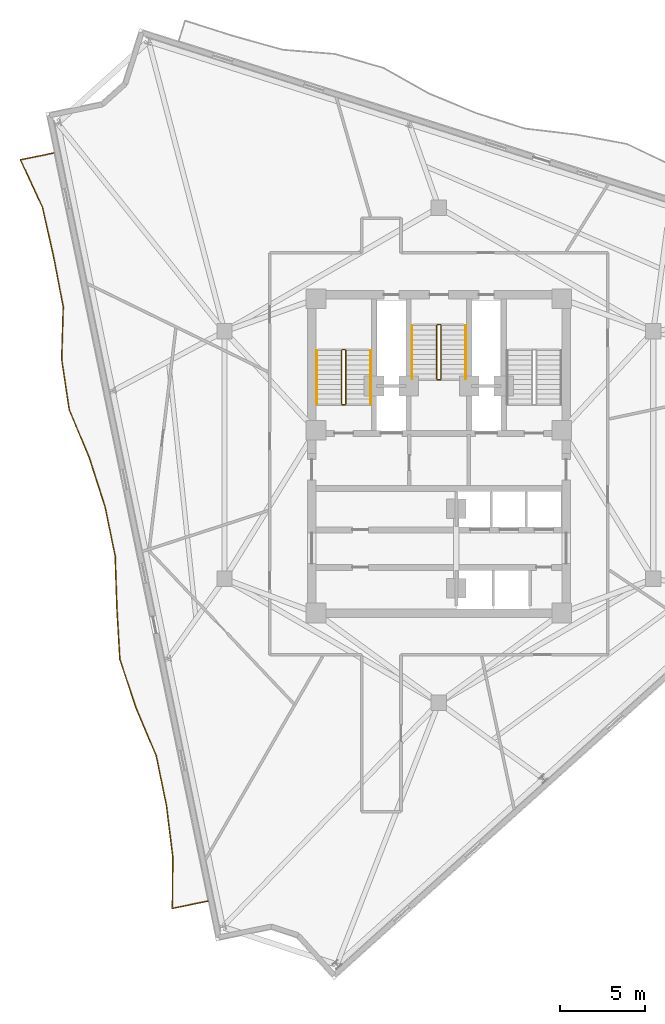
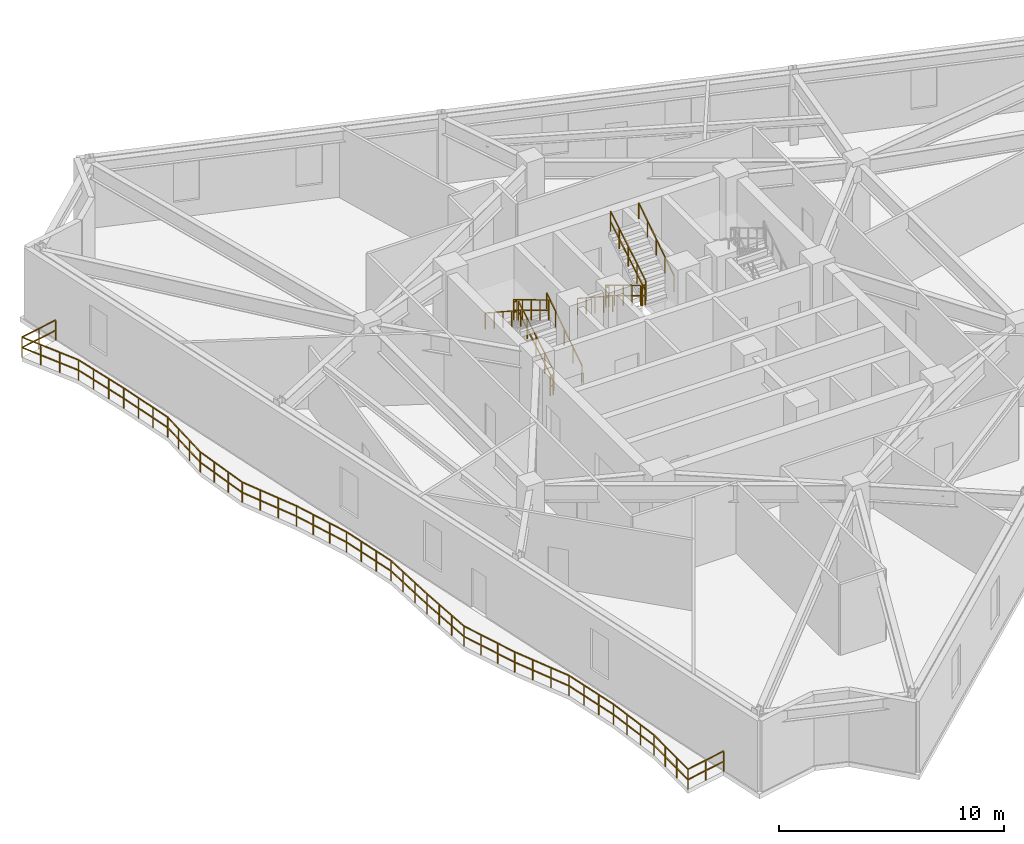
# One storey, part 9 of 11: 13 railings.
"""IFC4 building model written with IfcOpenShell, lengths in metres."""

import ifcopenshell
import ifcopenshell.guid

model = None  # the IFC model being written
_history = None  # IfcOwnerHistory: only IFC2X3 demands one
_inside = {}  # id of a spatial element -> (the spatial element, [elements in it])
_under = {}  # id of a project, library or spatial element -> (it, [spatial elements below it])
_declared = {}  # id of a project -> (the project, [libraries it declares])
_typed = {}  # id of a type object -> (the type object, [elements of that type])
_made_of = {}  # id of a material, layer set ... -> (it, [elements and type objects made of it])


def new_model(schema):
    """Start an empty IFC model of exactly this schema.

    Asked for "IFC4X3", IfcOpenShell would pick the latest addendum, in which some entities
    have other attributes; the version numbers below select the first issue.
    IFC2X3 requires an IfcOwnerHistory on every rooted entity: one is made here for all.
    """
    global model, _history
    if schema == "IFC4X3":
        model = ifcopenshell.file(schema_version=(4, 3, 0, 0))
    else:
        model = ifcopenshell.file(schema=schema)
    _inside.clear()
    _under.clear()
    _declared.clear()
    _typed.clear()
    _made_of.clear()
    _history = None
    if model.schema == "IFC2X3":
        org = make("IfcOrganization", Name="unknown")
        user = make(
            "IfcPersonAndOrganization",
            ThePerson=make("IfcPerson", FamilyName="unknown"),
            TheOrganization=org,
        )
        app = make(
            "IfcApplication",
            ApplicationDeveloper=org,
            Version="unknown",
            ApplicationFullName="unknown",
            ApplicationIdentifier="unknown",
        )
        _history = make(
            "IfcOwnerHistory",
            OwningUser=user,
            OwningApplication=app,
            ChangeAction="ADDED",
            CreationDate=0,
        )
    return model


def make(cls, **values):
    """One entity of the class cls with the attributes given. An attribute that is None is left unset."""
    return model.create_entity(
        cls, **{name: value for name, value in values.items() if value is not None}
    )


def rooted(cls, **values):
    """An entity with a GlobalId (a new one), such as an element, a storey or a relation."""
    return make(cls, GlobalId=ifcopenshell.guid.new(), OwnerHistory=_history, **values)


def si_unit(unit_type, name, prefix=None):
    """IfcSIUnit, for example si_unit("LENGTHUNIT", "METRE", prefix="MILLI")."""
    return make("IfcSIUnit", UnitType=unit_type, Prefix=prefix, Name=name)


def assignment(units):
    """IfcUnitAssignment: the units of a project."""
    return None if units is None else make("IfcUnitAssignment", Units=units)


def point(xyz):
    """IfcCartesianPoint."""
    return None if xyz is None else make("IfcCartesianPoint", Coordinates=xyz)


def direction(xyz):
    """IfcDirection."""
    return None if xyz is None else make("IfcDirection", DirectionRatios=xyz)


def frame(location, z_axis=None, x_axis=None):
    """IfcAxis2Placement3D, a coordinate frame: its origin and axes. An axis left out is left unset."""
    return make(
        "IfcAxis2Placement3D",
        Location=point(location),
        Axis=direction(z_axis),
        RefDirection=direction(x_axis),
    )


def frame_2d(location, x_axis=None):
    """IfcAxis2Placement2D, a coordinate frame in the plane: its origin and x axis."""
    return make(
        "IfcAxis2Placement2D", Location=point(location), RefDirection=direction(x_axis)
    )


def origin():
    """The frame at (0, 0, 0) with its axes left unset."""
    return frame((0.0, 0.0, 0.0))


def origin_2d():
    """The frame at (0, 0) in the plane with its x axis left unset."""
    return frame_2d((0.0, 0.0))


def place(relative_to, where):
    """IfcLocalPlacement: puts the frame where relative to a parent placement (None: the world)."""
    return make(
        "IfcLocalPlacement", PlacementRelTo=relative_to, RelativePlacement=where
    )


def context(
    kind, dimensions, precision=None, world=None, true_north=None, identifier=None
):
    """IfcGeometricRepresentationContext, for example the 3D "Model" context."""
    return make(
        "IfcGeometricRepresentationContext",
        ContextIdentifier=identifier,
        ContextType=kind,
        CoordinateSpaceDimension=dimensions,
        Precision=precision,
        WorldCoordinateSystem=world,
        TrueNorth=true_north,
    )


def subcontext(parent, identifier, kind, view, scale=None):
    """IfcGeometricRepresentationSubContext, for example "Body" below "Model"."""
    return make(
        "IfcGeometricRepresentationSubContext",
        ContextIdentifier=identifier,
        ContextType=kind,
        ParentContext=parent,
        TargetScale=scale,
        TargetView=view,
    )


def project(units=None, contexts=None):
    """IfcProject with its units and contexts."""
    return rooted(
        "IfcProject",
        Name="project",
        RepresentationContexts=contexts,
        UnitsInContext=assignment(units),
    )


def spatial(cls, under=None, at=None, **own):
    """A site, building, storey or space (cls), placed at a placement, below another one or the project."""
    s = rooted(cls, ObjectPlacement=at, **own)
    if under is not None:
        _under.setdefault(under.id(), (under, []))[1].append(s)
    return s


def profile(cls, at=None, kind="AREA", **sizes):
    """A parametric profile (cls). Its sizes go by their IFC names, for example OverallWidth=200.0."""
    return make(cls, ProfileType=kind, Position=at, **sizes)


def rectangle(**sizes):
    """IfcRectangleProfileDef."""
    return profile("IfcRectangleProfileDef", **sizes)


def extrude(swept, where, along, depth):
    """IfcExtrudedAreaSolid: the profile swept, set in the frame where, extruded along a direction by depth."""
    return make(
        "IfcExtrudedAreaSolid",
        SweptArea=swept,
        Position=where,
        ExtrudedDirection=direction(along),
        Depth=depth,
    )


def shape(context_of_items, identifier, shape_type, items):
    """IfcShapeRepresentation: the items that make up one representation, for example the "Body"."""
    return make(
        "IfcShapeRepresentation",
        ContextOfItems=context_of_items,
        RepresentationIdentifier=identifier,
        RepresentationType=shape_type,
        Items=items,
    )


def material(Name=None, Category=None):
    """IfcMaterial."""
    return make("IfcMaterial", Name=Name, Category=Category)


def made_of(thing, what):
    """Note that an element or type object is made of a material, layer set ...; save() writes the relation."""
    if what is not None:
        _made_of.setdefault(what.id(), (what, []))[1].append(thing)
    return thing


def type_object(cls, material=None, **own):
    """A type object (cls), such as IfcWallType, which elements share."""
    return made_of(rooted(cls, **own), material)


def element(
    cls,
    number,
    at=None,
    inside=None,
    cuts=None,
    type_object=None,
    material=None,
    context=None,
    identifier="Body",
    shape_type=None,
    held_by="IfcProductDefinitionShape",
    body=None,
    shapes=None,
    **own,
):
    """One element of the class cls, such as IfcWall. Its Tag is "e" and its number.

    at: its placement. inside: the storey or other place that contains it. cuts: it is an
    opening in that element (IfcRelVoidsElement). A single representation is given by context,
    identifier, shape_type and body (its items); several are given by shapes. held_by: the class
    of the entity that holds the representations. save() writes the other relations.
    """
    e = rooted(cls, Tag="e%d" % number, ObjectPlacement=at, **own)
    if body is not None:
        shapes = [shape(context, identifier, shape_type, body)]
    if shapes is not None:
        e.Representation = make(held_by, Representations=shapes)
    if inside is not None:
        _inside.setdefault(inside.id(), (inside, []))[1].append(e)
    if cuts is not None:
        rooted(
            "IfcRelVoidsElement", RelatingBuildingElement=cuts, RelatedOpeningElement=e
        )
    if type_object is not None:
        _typed.setdefault(type_object.id(), (type_object, []))[1].append(e)
    return made_of(e, material)


def aggregate(whole, parts):
    """IfcRelAggregates: a whole, such as a stair, and the parts it consists of."""
    return rooted("IfcRelAggregates", RelatingObject=whole, RelatedObjects=parts)


def save(model, path):
    """Write the relations noted so far, then the file.

    IfcRelAggregates (storeys below a building ...), IfcRelContainedInSpatialStructure (elements
    in a storey), IfcRelDefinesByType, IfcRelAssociatesMaterial and IfcRelDeclares: one each for
    every whole, place, type object, material and project.
    """
    for whole, parts in _under.values():
        aggregate(whole, parts)
    for where, things in _inside.values():
        rooted(
            "IfcRelContainedInSpatialStructure",
            RelatedElements=things,
            RelatingStructure=where,
        )
    for kind, things in _typed.values():
        rooted("IfcRelDefinesByType", RelatedObjects=things, RelatingType=kind)
    for what, things in _made_of.values():
        rooted("IfcRelAssociatesMaterial", RelatedObjects=things, RelatingMaterial=what)
    for by, libraries in _declared.values():
        rooted("IfcRelDeclares", RelatingContext=by, RelatedDefinitions=libraries)
    model.write(path)


model = new_model("IFC4")

# Units and contexts
model_context = context("Model", 3, precision=1e-05, world=origin(), true_north=direction((0.0, 1.0)))
body_context = subcontext(model_context, "Body", "Model", "MODEL_VIEW")
ifc_project = project(units=[si_unit("LENGTHUNIT", "METRE"), si_unit("AREAUNIT", "SQUARE_METRE"), si_unit("VOLUMEUNIT", "CUBIC_METRE"), si_unit("PLANEANGLEUNIT", "RADIAN"), si_unit("MASSUNIT", "GRAM", prefix="KILO")], contexts=[model_context])

# Site, building, storey
site_placement = place(None, origin())
site = spatial("IfcSite", under=ifc_project, at=site_placement, CompositionType="ELEMENT")
building_placement = place(site_placement, origin())
building = spatial("IfcBuilding", under=site, at=building_placement, Name="Apsidion Concourse Tower", CompositionType="ELEMENT")
storey_placement = place(building_placement, frame((0.0, 0.0, 252.699951171875)))
storey = spatial("IfcBuildingStorey", under=building, at=storey_placement, Name="L59", CompositionType="ELEMENT", Elevation=252.699951171875)

# Railings
ifc_material = material(Name="Brushed stainless steel 316", Category="steel")
railing_type_1 = type_object("IfcRailingType", Name="RL-BAL-1120", PredefinedType="BALUSTRADE", material=ifc_material)
railing_1_placement = place(storey_placement, frame((-13.5322265625, -26.12451171875, 0.0)))
element("IfcRailing", 1, at=railing_1_placement, inside=storey, type_object=railing_type_1, Name="L59 Face 1 Rippling Balcony Balustrade", PredefinedType="BALUSTRADE", context=body_context, shape_type="SweptSolid", body=[
    extrude(rectangle(XDim=0.048095703125, YDim=0.048095703125, at=origin_2d()), frame((0.0, 0.0, 1.09619140625), z_axis=(-0.979491101071, -0.201487426215, 0.0), x_axis=(0.201487426215, -0.979491101071, 0.0)), (0.0, 0.0, 1.0), 2.122802734375),
    extrude(rectangle(XDim=0.048095703125, YDim=0.048095703125, at=origin_2d()), frame((0.0, 0.0, 0.5361328125), z_axis=(-0.979491101071, -0.201487426215, 0.0), x_axis=(0.201487426215, -0.979491101071, 0.0)), (0.0, 0.0, 1.0), 2.122802734375),
    extrude(rectangle(XDim=0.048095703125, YDim=0.048095703125, at=origin_2d()), frame((-2.079345703125, -0.427734375, 1.09619140625), z_axis=(0.006404479969, 0.999979491108, 0.0), x_axis=(-0.999979491108, 0.006404479969, 0.0)), (0.0, 0.0, 1.0), 3.049560546875),
    extrude(rectangle(XDim=0.048095703125, YDim=0.048095703125, at=origin_2d()), frame((-2.079345703125, -0.427734375, 0.5361328125), z_axis=(0.006404479969, 0.999979491108, 0.0), x_axis=(-0.999979491108, 0.006404479969, 0.0)), (0.0, 0.0, 1.0), 3.049560546875),
    extrude(rectangle(XDim=0.048095703125, YDim=0.048095703125, at=origin_2d()), frame((-2.059814453125, 2.621826171875, 1.09619140625), z_axis=(-0.122458117281, 0.992473682025, 0.0), x_axis=(-0.992473682025, -0.122458117281, 0.0)), (0.0, 0.0, 1.0), 2.992431640625),
    extrude(rectangle(XDim=0.048095703125, YDim=0.048095703125, at=origin_2d()), frame((-2.059814453125, 2.621826171875, 0.5361328125), z_axis=(-0.122458117281, 0.992473682025, 0.0), x_axis=(-0.992473682025, -0.122458117281, 0.0)), (0.0, 0.0, 1.0), 2.992431640625),
    extrude(rectangle(XDim=0.048095703125, YDim=0.048095703125, at=origin_2d()), frame((-2.42626953125, 5.591796875, 1.09619140625), z_axis=(-0.201417367965, 0.979505509878, 0.0), x_axis=(-0.979505509878, -0.201417367965, 0.0)), (0.0, 0.0, 1.0), 2.98291015625),
    extrude(rectangle(XDim=0.048095703125, YDim=0.048095703125, at=origin_2d()), frame((-2.42626953125, 5.591796875, 0.5361328125), z_axis=(-0.201417367965, 0.979505509878, 0.0), x_axis=(-0.979505509878, -0.201417367965, 0.0)), (0.0, 0.0, 1.0), 2.98291015625),
    extrude(rectangle(XDim=0.048095703125, YDim=0.048095703125, at=origin_2d()), frame((-3.027099609375, 8.513671875, 1.09619140625), z_axis=(-0.388214902044, 0.921568874166, 0.0), x_axis=(-0.921568874166, -0.388214902044, 0.0)), (0.0, 0.0, 1.0), 3.041259765625),
    extrude(rectangle(XDim=0.048095703125, YDim=0.048095703125, at=origin_2d()), frame((-3.027099609375, 8.513671875, 0.5361328125), z_axis=(-0.388214902044, 0.921568874166, 0.0), x_axis=(-0.921568874166, -0.388214902044, 0.0)), (0.0, 0.0, 1.0), 3.041259765625),
    extrude(rectangle(XDim=0.048095703125, YDim=0.048095703125, at=origin_2d()), frame((-4.207763671875, 11.31640625, 1.09619140625), z_axis=(-0.316276523542, 0.94866704415, 0.0), x_axis=(-0.94866704415, -0.316276523542, 0.0)), (0.0, 0.0, 1.0), 3.00439453125),
    extrude(rectangle(XDim=0.048095703125, YDim=0.048095703125, at=origin_2d()), frame((-4.207763671875, 11.31640625, 0.5361328125), z_axis=(-0.316276523542, 0.94866704415, 0.0), x_axis=(-0.94866704415, -0.316276523542, 0.0)), (0.0, 0.0, 1.0), 3.00439453125),
    extrude(rectangle(XDim=0.048095703125, YDim=0.048095703125, at=origin_2d()), frame((-5.157958984375, 14.16650390625, 1.09619140625), z_axis=(-0.057577909023, 0.998341016082, 0.0), x_axis=(-0.998341016082, -0.057577909023, 0.0)), (0.0, 0.0, 1.0), 3.0146484375),
    extrude(rectangle(XDim=0.048095703125, YDim=0.048095703125, at=origin_2d()), frame((-5.157958984375, 14.16650390625, 0.5361328125), z_axis=(-0.057577909023, 0.998341016082, 0.0), x_axis=(-0.998341016082, -0.057577909023, 0.0)), (0.0, 0.0, 1.0), 3.0146484375),
    extrude(rectangle(XDim=0.048095703125, YDim=0.048095703125, at=origin_2d()), frame((-5.33154296875, 17.17626953125, 1.09619140625), z_axis=(-0.032670202221, 0.999466186465, 0.0), x_axis=(-0.999466186465, -0.032670202221, 0.0)), (0.0, 0.0, 1.0), 3.026611328125),
    extrude(rectangle(XDim=0.048095703125, YDim=0.048095703125, at=origin_2d()), frame((-5.33154296875, 17.17626953125, 0.5361328125), z_axis=(-0.032670202221, 0.999466186465, 0.0), x_axis=(-0.999466186465, -0.032670202221, 0.0)), (0.0, 0.0, 1.0), 3.026611328125),
    extrude(rectangle(XDim=0.048095703125, YDim=0.048095703125, at=origin_2d()), frame((-5.430419921875, 20.201171875, 1.09619140625), z_axis=(-0.201495889419, 0.979489360099, 0.0), x_axis=(-0.979489360099, -0.201495889419, 0.0)), (0.0, 0.0, 1.0), 2.983154296875),
    extrude(rectangle(XDim=0.048095703125, YDim=0.048095703125, at=origin_2d()), frame((-5.430419921875, 20.201171875, 0.5361328125), z_axis=(-0.201495889419, 0.979489360099, 0.0), x_axis=(-0.979489360099, -0.201495889419, 0.0)), (0.0, 0.0, 1.0), 2.983154296875),
    extrude(rectangle(XDim=0.048095703125, YDim=0.048095703125, at=origin_2d()), frame((-6.031494140625, 23.123046875, 1.09619140625), z_axis=(-0.306643810265, 0.95182433969, 0.0), x_axis=(-0.95182433969, -0.306643810265, 0.0)), (0.0, 0.0, 1.0), 3.000732421875),
    extrude(rectangle(XDim=0.048095703125, YDim=0.048095703125, at=origin_2d()), frame((-6.031494140625, 23.123046875, 0.5361328125), z_axis=(-0.306643810265, 0.95182433969, 0.0), x_axis=(-0.95182433969, -0.306643810265, 0.0)), (0.0, 0.0, 1.0), 3.000732421875),
    extrude(rectangle(XDim=0.048095703125, YDim=0.048095703125, at=origin_2d()), frame((-6.95166015625, 25.979248046875, 1.09619140625), z_axis=(-0.385390914687, 0.92275340307, 0.0), x_axis=(-0.92275340307, -0.385390914687, 0.0)), (0.0, 0.0, 1.0), 3.03955078125),
    extrude(rectangle(XDim=0.048095703125, YDim=0.048095703125, at=origin_2d()), frame((-6.95166015625, 25.979248046875, 0.5361328125), z_axis=(-0.385390914687, 0.92275340307, 0.0), x_axis=(-0.92275340307, -0.385390914687, 0.0)), (0.0, 0.0, 1.0), 3.03955078125),
    extrude(rectangle(XDim=0.048095703125, YDim=0.048095703125, at=origin_2d()), frame((-8.123046875, 28.783935546875, 1.09619140625), z_axis=(-0.148248537022, 0.988950135887, 0.0), x_axis=(-0.988950135887, -0.148248537022, 0.0)), (0.0, 0.0, 1.0), 2.9873046875),
    extrude(rectangle(XDim=0.048095703125, YDim=0.048095703125, at=origin_2d()), frame((-8.123046875, 28.783935546875, 0.5361328125), z_axis=(-0.148248537022, 0.988950135887, 0.0), x_axis=(-0.988950135887, -0.148248537022, 0.0)), (0.0, 0.0, 1.0), 2.9873046875),
    extrude(rectangle(XDim=0.048095703125, YDim=0.048095703125, at=origin_2d()), frame((-8.56591796875, 31.73828125, 1.09619140625), z_axis=(0.030180636604, 0.999544460829, 0.0), x_axis=(-0.999544460829, 0.030180636604, 0.0)), (0.0, 0.0, 1.0), 3.06591796875),
    extrude(rectangle(XDim=0.048095703125, YDim=0.048095703125, at=origin_2d()), frame((-8.56591796875, 31.73828125, 0.5361328125), z_axis=(0.030180636604, 0.999544460829, 0.0), x_axis=(-0.999544460829, 0.030180636604, 0.0)), (0.0, 0.0, 1.0), 3.06591796875),
    extrude(rectangle(XDim=0.048095703125, YDim=0.048095703125, at=origin_2d()), frame((-8.473388671875, 34.802734375, 1.09619140625), z_axis=(-0.188477058048, 0.982077592958, 0.0), x_axis=(-0.982077592958, -0.188477058048, 0.0)), (0.0, 0.0, 1.0), 2.983154296875),
    extrude(rectangle(XDim=0.048095703125, YDim=0.048095703125, at=origin_2d()), frame((-8.473388671875, 34.802734375, 0.5361328125), z_axis=(-0.188477058048, 0.982077592958, 0.0), x_axis=(-0.982077592958, -0.188477058048, 0.0)), (0.0, 0.0, 1.0), 2.983154296875),
    extrude(rectangle(XDim=0.048095703125, YDim=0.048095703125, at=origin_2d()), frame((-9.03564453125, 37.732421875, 1.09619140625), z_axis=(-0.219537506886, 0.975604060606, 0.0), x_axis=(-0.975604060606, -0.219537506886, 0.0)), (0.0, 0.0, 1.0), 2.983642578125),
    extrude(rectangle(XDim=0.048095703125, YDim=0.048095703125, at=origin_2d()), frame((-9.03564453125, 37.732421875, 0.5361328125), z_axis=(-0.219537506886, 0.975604060606, 0.0), x_axis=(-0.975604060606, -0.219537506886, 0.0)), (0.0, 0.0, 1.0), 2.983642578125),
    extrude(rectangle(XDim=0.048095703125, YDim=0.048095703125, at=origin_2d()), frame((-9.690673828125, 40.643310546875, 1.09619140625), z_axis=(-0.42115343379, 0.906989407439, 0.0), x_axis=(-0.906989407439, -0.42115343379, 0.0)), (0.0, 0.0, 1.0), 3.06494140625),
    extrude(rectangle(XDim=0.048095703125, YDim=0.048095703125, at=origin_2d()), frame((-9.690673828125, 40.643310546875, 0.5361328125), z_axis=(-0.42115343379, 0.906989407439, 0.0), x_axis=(-0.906989407439, -0.42115343379, 0.0)), (0.0, 0.0, 1.0), 3.06494140625),
    extrude(rectangle(XDim=0.048095703125, YDim=0.048095703125, at=origin_2d()), frame((-10.9814453125, 43.423095703125, 1.09619140625), z_axis=(0.979476800075, 0.201556935168, 0.0), x_axis=(-0.201556935168, 0.979476800075, 0.0)), (0.0, 0.0, 1.0), 2.009521484375),
    extrude(rectangle(XDim=0.048095703125, YDim=0.048095703125, at=origin_2d()), frame((-10.9814453125, 43.423095703125, 0.5361328125), z_axis=(0.979476800075, 0.201556935168, 0.0), x_axis=(-0.201556935168, 0.979476800075, 0.0)), (0.0, 0.0, 1.0), 2.009521484375),
    extrude(rectangle(XDim=0.0419921875, YDim=0.0419921875, at=origin_2d()), origin(), (0.0, 0.0, 1.0), 1.072021484375),
    extrude(rectangle(XDim=0.0419921875, YDim=0.0419921875, at=origin_2d()), frame((-1.03955078125, -0.2138671875, 0.0)), (0.0, 0.0, 1.0), 1.072021484375),
    extrude(rectangle(XDim=0.0419921875, YDim=0.0419921875, at=origin_2d()), frame((-2.079345703125, -0.427734375, 0.0)), (0.0, 0.0, 1.0), 1.072021484375),
    extrude(rectangle(XDim=0.0419921875, YDim=0.0419921875, at=origin_2d()), frame((-2.07275390625, 0.5888671875, 0.0)), (0.0, 0.0, 1.0), 1.072021484375),
    extrude(rectangle(XDim=0.0419921875, YDim=0.0419921875, at=origin_2d()), frame((-2.06640625, 1.605224609375, 0.0)), (0.0, 0.0, 1.0), 1.072021484375),
    extrude(rectangle(XDim=0.0419921875, YDim=0.0419921875, at=origin_2d()), frame((-2.059814453125, 2.621826171875, 0.0)), (0.0, 0.0, 1.0), 1.072021484375),
    extrude(rectangle(XDim=0.0419921875, YDim=0.0419921875, at=origin_2d()), frame((-2.181884765625, 3.61181640625, 0.0)), (0.0, 0.0, 1.0), 1.072021484375),
    extrude(rectangle(XDim=0.0419921875, YDim=0.0419921875, at=origin_2d()), frame((-2.30419921875, 4.601806640625, 0.0)), (0.0, 0.0, 1.0), 1.072021484375),
    extrude(rectangle(XDim=0.0419921875, YDim=0.0419921875, at=origin_2d()), frame((-2.42626953125, 5.591796875, 0.0)), (0.0, 0.0, 1.0), 1.072021484375),
    extrude(rectangle(XDim=0.0419921875, YDim=0.0419921875, at=origin_2d()), frame((-2.62646484375, 6.565673828125, 0.0)), (0.0, 0.0, 1.0), 1.072021484375),
    extrude(rectangle(XDim=0.0419921875, YDim=0.0419921875, at=origin_2d()), frame((-2.826904296875, 7.539794921875, 0.0)), (0.0, 0.0, 1.0), 1.072021484375),
    extrude(rectangle(XDim=0.0419921875, YDim=0.0419921875, at=origin_2d()), frame((-3.027099609375, 8.513671875, 0.0)), (0.0, 0.0, 1.0), 1.072021484375),
    extrude(rectangle(XDim=0.0419921875, YDim=0.0419921875, at=origin_2d()), frame((-3.420654296875, 9.447998046875, 0.0)), (0.0, 0.0, 1.0), 1.072021484375),
    extrude(rectangle(XDim=0.0419921875, YDim=0.0419921875, at=origin_2d()), frame((-3.814208984375, 10.382080078125, 0.0)), (0.0, 0.0, 1.0), 1.072021484375),
    extrude(rectangle(XDim=0.0419921875, YDim=0.0419921875, at=origin_2d()), frame((-4.207763671875, 11.31640625, 0.0)), (0.0, 0.0, 1.0), 1.072021484375),
    extrude(rectangle(XDim=0.0419921875, YDim=0.0419921875, at=origin_2d()), frame((-4.5244140625, 12.266357421875, 0.0)), (0.0, 0.0, 1.0), 1.072021484375),
    extrude(rectangle(XDim=0.0419921875, YDim=0.0419921875, at=origin_2d()), frame((-4.84130859375, 13.216552734375, 0.0)), (0.0, 0.0, 1.0), 1.072021484375),
    extrude(rectangle(XDim=0.0419921875, YDim=0.0419921875, at=origin_2d()), frame((-5.157958984375, 14.16650390625, 0.0)), (0.0, 0.0, 1.0), 1.072021484375),
    extrude(rectangle(XDim=0.0419921875, YDim=0.0419921875, at=origin_2d()), frame((-5.2158203125, 15.169677734375, 0.0)), (0.0, 0.0, 1.0), 1.072021484375),
    extrude(rectangle(XDim=0.0419921875, YDim=0.0419921875, at=origin_2d()), frame((-5.273681640625, 16.173095703125, 0.0)), (0.0, 0.0, 1.0), 1.072021484375),
    extrude(rectangle(XDim=0.0419921875, YDim=0.0419921875, at=origin_2d()), frame((-5.33154296875, 17.17626953125, 0.0)), (0.0, 0.0, 1.0), 1.072021484375),
    extrude(rectangle(XDim=0.0419921875, YDim=0.0419921875, at=origin_2d()), frame((-5.364501953125, 18.1845703125, 0.0)), (0.0, 0.0, 1.0), 1.072021484375),
    extrude(rectangle(XDim=0.0419921875, YDim=0.0419921875, at=origin_2d()), frame((-5.3974609375, 19.19287109375, 0.0)), (0.0, 0.0, 1.0), 1.072021484375),
    extrude(rectangle(XDim=0.0419921875, YDim=0.0419921875, at=origin_2d()), frame((-5.430419921875, 20.201171875, 0.0)), (0.0, 0.0, 1.0), 1.072021484375),
    extrude(rectangle(XDim=0.0419921875, YDim=0.0419921875, at=origin_2d()), frame((-5.630859375, 21.175048828125, 0.0)), (0.0, 0.0, 1.0), 1.072021484375),
    extrude(rectangle(XDim=0.0419921875, YDim=0.0419921875, at=origin_2d()), frame((-5.8310546875, 22.149169921875, 0.0)), (0.0, 0.0, 1.0), 1.072021484375),
    extrude(rectangle(XDim=0.0419921875, YDim=0.0419921875, at=origin_2d()), frame((-6.031494140625, 23.123046875, 0.0)), (0.0, 0.0, 1.0), 1.072021484375),
    extrude(rectangle(XDim=0.0419921875, YDim=0.0419921875, at=origin_2d()), frame((-6.338134765625, 24.0751953125, 0.0)), (0.0, 0.0, 1.0), 1.072021484375),
    extrude(rectangle(XDim=0.0419921875, YDim=0.0419921875, at=origin_2d()), frame((-6.64501953125, 25.027099609375, 0.0)), (0.0, 0.0, 1.0), 1.072021484375),
    extrude(rectangle(XDim=0.0419921875, YDim=0.0419921875, at=origin_2d()), frame((-6.95166015625, 25.979248046875, 0.0)), (0.0, 0.0, 1.0), 1.072021484375),
    extrude(rectangle(XDim=0.0419921875, YDim=0.0419921875, at=origin_2d()), frame((-7.342041015625, 26.9140625, 0.0)), (0.0, 0.0, 1.0), 1.072021484375),
    extrude(rectangle(XDim=0.0419921875, YDim=0.0419921875, at=origin_2d()), frame((-7.732666015625, 27.84912109375, 0.0)), (0.0, 0.0, 1.0), 1.072021484375),
    extrude(rectangle(XDim=0.0419921875, YDim=0.0419921875, at=origin_2d()), frame((-8.123046875, 28.783935546875, 0.0)), (0.0, 0.0, 1.0), 1.072021484375),
    extrude(rectangle(XDim=0.0419921875, YDim=0.0419921875, at=origin_2d()), frame((-8.270751953125, 29.768798828125, 0.0)), (0.0, 0.0, 1.0), 1.072021484375),
    extrude(rectangle(XDim=0.0419921875, YDim=0.0419921875, at=origin_2d()), frame((-8.418212890625, 30.75341796875, 0.0)), (0.0, 0.0, 1.0), 1.072021484375),
    extrude(rectangle(XDim=0.0419921875, YDim=0.0419921875, at=origin_2d()), frame((-8.56591796875, 31.73828125, 0.0)), (0.0, 0.0, 1.0), 1.072021484375),
    extrude(rectangle(XDim=0.0419921875, YDim=0.0419921875, at=origin_2d()), frame((-8.53515625, 32.759765625, 0.0)), (0.0, 0.0, 1.0), 1.072021484375),
    extrude(rectangle(XDim=0.0419921875, YDim=0.0419921875, at=origin_2d()), frame((-8.504150390625, 33.78125, 0.0)), (0.0, 0.0, 1.0), 1.072021484375),
    extrude(rectangle(XDim=0.0419921875, YDim=0.0419921875, at=origin_2d()), frame((-8.473388671875, 34.802734375, 0.0)), (0.0, 0.0, 1.0), 1.072021484375),
    extrude(rectangle(XDim=0.0419921875, YDim=0.0419921875, at=origin_2d()), frame((-8.660888671875, 35.779296875, 0.0)), (0.0, 0.0, 1.0), 1.072021484375),
    extrude(rectangle(XDim=0.0419921875, YDim=0.0419921875, at=origin_2d()), frame((-8.84814453125, 36.755859375, 0.0)), (0.0, 0.0, 1.0), 1.072021484375),
    extrude(rectangle(XDim=0.0419921875, YDim=0.0419921875, at=origin_2d()), frame((-9.03564453125, 37.732421875, 0.0)), (0.0, 0.0, 1.0), 1.072021484375),
    extrude(rectangle(XDim=0.0419921875, YDim=0.0419921875, at=origin_2d()), frame((-9.25390625, 38.70263671875, 0.0)), (0.0, 0.0, 1.0), 1.072021484375),
    extrude(rectangle(XDim=0.0419921875, YDim=0.0419921875, at=origin_2d()), frame((-9.472412109375, 39.673095703125, 0.0)), (0.0, 0.0, 1.0), 1.072021484375),
    extrude(rectangle(XDim=0.0419921875, YDim=0.0419921875, at=origin_2d()), frame((-9.690673828125, 40.643310546875, 0.0)), (0.0, 0.0, 1.0), 1.072021484375),
    extrude(rectangle(XDim=0.0419921875, YDim=0.0419921875, at=origin_2d()), frame((-10.120849609375, 41.56982421875, 0.0)), (0.0, 0.0, 1.0), 1.072021484375),
    extrude(rectangle(XDim=0.0419921875, YDim=0.0419921875, at=origin_2d()), frame((-10.55126953125, 42.49658203125, 0.0)), (0.0, 0.0, 1.0), 1.072021484375),
    extrude(rectangle(XDim=0.0419921875, YDim=0.0419921875, at=origin_2d()), frame((-10.9814453125, 43.423095703125, 0.0)), (0.0, 0.0, 1.0), 1.072021484375),
    extrude(rectangle(XDim=0.0419921875, YDim=0.0419921875, at=origin_2d()), frame((-9.997314453125, 43.62548828125, 0.0)), (0.0, 0.0, 1.0), 1.072021484375),
    extrude(rectangle(XDim=0.0419921875, YDim=0.0419921875, at=origin_2d()), frame((-9.01318359375, 43.828125, 0.0)), (0.0, 0.0, 1.0), 1.072021484375),
])
railing_type_2 = type_object("IfcRailingType", Name="RL-GUARD-1100", PredefinedType="GUARDRAIL", material=ifc_material)
railing_2_placement = place(storey_placement, frame((-5.449951171875, 3.0, 0.1708984375)))
element("IfcRailing", 2, at=railing_2_placement, inside=storey, type_object=railing_type_2, Name="L59 ST1 stair guard 1", PredefinedType="GUARDRAIL", context=body_context, shape_type="SweptSolid", body=[
    extrude(rectangle(XDim=0.048095703125, YDim=0.048095703125, at=origin_2d()), frame((0.0, 0.0, 1.09619140625), z_axis=(0.0, 0.857716804754, 0.514122439544), x_axis=(-1.0, 0.0, 0.0)), (0.0, 0.0, 1.0), 3.655029296875),
    extrude(rectangle(XDim=0.048095703125, YDim=0.048095703125, at=origin_2d()), frame((0.0, 0.0, 0.5361328125), z_axis=(0.0, 0.857716804754, 0.514122439544), x_axis=(-1.0, 0.0, 0.0)), (0.0, 0.0, 1.0), 3.655029296875),
    extrude(rectangle(XDim=0.0419921875, YDim=0.0419921875, at=origin_2d()), origin(), (0.0, 0.0, 1.0), 1.072021484375),
    extrude(rectangle(XDim=0.0419921875, YDim=0.0419921875, at=origin_2d()), frame((0.0, 0.78369140625, 0.4697265625)), (0.0, 0.0, 1.0), 1.072021484375),
    extrude(rectangle(XDim=0.0419921875, YDim=0.0419921875, at=origin_2d()), frame((0.0, 1.5673828125, 0.939453125)), (0.0, 0.0, 1.0), 1.072021484375),
    extrude(rectangle(XDim=0.0419921875, YDim=0.0419921875, at=origin_2d()), frame((0.0, 2.351318359375, 1.409423828125)), (0.0, 0.0, 1.0), 1.072021484375),
    extrude(rectangle(XDim=0.0419921875, YDim=0.0419921875, at=origin_2d()), frame((0.0, 3.135009765625, 1.879150390625)), (0.0, 0.0, 1.0), 1.072021484375),
])
railing_3_placement = place(storey_placement, frame((-5.5, 6.18505859375, 2.050048828125)))
element("IfcRailing", 3, at=railing_3_placement, inside=storey, type_object=railing_type_2, Name="L59 ST1 stair guard 2", PredefinedType="GUARDRAIL", context=body_context, shape_type="SweptSolid", body=[
    extrude(rectangle(XDim=0.048095703125, YDim=0.048095703125, at=origin_2d()), frame((0.0, 0.0, 1.09619140625), z_axis=(-1.0, 0.0, 0.0), x_axis=(0.0, -1.0, 0.0)), (0.0, 0.0, 1.0), 0.14990234375),
    extrude(rectangle(XDim=0.048095703125, YDim=0.048095703125, at=origin_2d()), frame((0.0, 0.0, 0.5361328125), z_axis=(-1.0, 0.0, 0.0), x_axis=(0.0, -1.0, 0.0)), (0.0, 0.0, 1.0), 0.14990234375),
    extrude(rectangle(XDim=0.0419921875, YDim=0.0419921875, at=origin_2d()), origin(), (0.0, 0.0, 1.0), 1.072021484375),
    extrude(rectangle(XDim=0.0419921875, YDim=0.0419921875, at=origin_2d()), frame((-0.14990234375, 0.0, 0.0)), (0.0, 0.0, 1.0), 1.072021484375),
])
railing_4_placement = place(storey_placement, frame((-5.699951171875, 6.135009765625, 2.220947265625)))
element("IfcRailing", 4, at=railing_4_placement, inside=storey, type_object=railing_type_2, Name="L59 ST1 stair guard 3", PredefinedType="GUARDRAIL", context=body_context, shape_type="SweptSolid", body=[
    extrude(rectangle(XDim=0.048095703125, YDim=0.048095703125, at=origin_2d()), frame((0.0, 0.0, 1.09619140625), z_axis=(0.0, -0.857716804754, 0.514122439544), x_axis=(1.0, 0.0, 0.0)), (0.0, 0.0, 1.0), 3.655029296875),
    extrude(rectangle(XDim=0.048095703125, YDim=0.048095703125, at=origin_2d()), frame((0.0, 0.0, 0.5361328125), z_axis=(0.0, -0.857716804754, 0.514122439544), x_axis=(1.0, 0.0, 0.0)), (0.0, 0.0, 1.0), 3.655029296875),
    extrude(rectangle(XDim=0.0419921875, YDim=0.0419921875, at=origin_2d()), origin(), (0.0, 0.0, 1.0), 1.072021484375),
    extrude(rectangle(XDim=0.0419921875, YDim=0.0419921875, at=origin_2d()), frame((0.0, -0.78369140625, 0.4697265625)), (0.0, 0.0, 1.0), 1.072021484375),
    extrude(rectangle(XDim=0.0419921875, YDim=0.0419921875, at=origin_2d()), frame((0.0, -1.5673828125, 0.939453125)), (0.0, 0.0, 1.0), 1.072021484375),
    extrude(rectangle(XDim=0.0419921875, YDim=0.0419921875, at=origin_2d()), frame((0.0, -2.351318359375, 1.409423828125)), (0.0, 0.0, 1.0), 1.072021484375),
    extrude(rectangle(XDim=0.0419921875, YDim=0.0419921875, at=origin_2d()), frame((0.0, -3.135009765625, 1.879150390625)), (0.0, 0.0, 1.0), 1.072021484375),
])
railing_5_placement = place(storey_placement, frame((-5.5, 2.949951171875, 0.0)))
element("IfcRailing", 5, at=railing_5_placement, inside=storey, type_object=railing_type_2, Name="L59 ST1 stair guard 4", PredefinedType="GUARDRAIL", context=body_context, shape_type="SweptSolid", body=[
    extrude(rectangle(XDim=0.048095703125, YDim=0.048095703125, at=origin_2d()), frame((0.0, 0.0, 1.09619140625), z_axis=(-1.0, 0.0, 0.0), x_axis=(0.0, -1.0, 0.0)), (0.0, 0.0, 1.0), 0.14990234375),
    extrude(rectangle(XDim=0.048095703125, YDim=0.048095703125, at=origin_2d()), frame((0.0, 0.0, 0.5361328125), z_axis=(-1.0, 0.0, 0.0), x_axis=(0.0, -1.0, 0.0)), (0.0, 0.0, 1.0), 0.14990234375),
    extrude(rectangle(XDim=0.0419921875, YDim=0.0419921875, at=origin_2d()), origin(), (0.0, 0.0, 1.0), 1.072021484375),
    extrude(rectangle(XDim=0.0419921875, YDim=0.0419921875, at=origin_2d()), frame((-0.14990234375, 0.0, 0.0)), (0.0, 0.0, 1.0), 1.072021484375),
])
railing_6_placement = place(storey_placement, frame((-0.125, 7.60009765625, 0.1708984375)))
element("IfcRailing", 6, at=railing_6_placement, inside=storey, type_object=railing_type_2, Name="L59 ST3 stair guard 1", PredefinedType="GUARDRAIL", context=body_context, shape_type="SweptSolid", body=[
    extrude(rectangle(XDim=0.048095703125, YDim=0.048095703125, at=origin_2d()), frame((0.0, 0.0, 1.09619140625), z_axis=(0.0, -0.857716804754, 0.514122439544), x_axis=(1.0, 0.0, 0.0)), (0.0, 0.0, 1.0), 3.655029296875),
    extrude(rectangle(XDim=0.048095703125, YDim=0.048095703125, at=origin_2d()), frame((0.0, 0.0, 0.5361328125), z_axis=(0.0, -0.857716804754, 0.514122439544), x_axis=(1.0, 0.0, 0.0)), (0.0, 0.0, 1.0), 3.655029296875),
    extrude(rectangle(XDim=0.0419921875, YDim=0.0419921875, at=origin_2d()), origin(), (0.0, 0.0, 1.0), 1.072021484375),
    extrude(rectangle(XDim=0.0419921875, YDim=0.0419921875, at=origin_2d()), frame((0.0, -0.78369140625, 0.4697265625)), (0.0, 0.0, 1.0), 1.072021484375),
    extrude(rectangle(XDim=0.0419921875, YDim=0.0419921875, at=origin_2d()), frame((0.0, -1.5673828125, 0.939453125)), (0.0, 0.0, 1.0), 1.072021484375),
    extrude(rectangle(XDim=0.0419921875, YDim=0.0419921875, at=origin_2d()), frame((0.0, -2.351318359375, 1.409423828125)), (0.0, 0.0, 1.0), 1.072021484375),
    extrude(rectangle(XDim=0.0419921875, YDim=0.0419921875, at=origin_2d()), frame((0.0, -3.135009765625, 1.879150390625)), (0.0, 0.0, 1.0), 1.072021484375),
])
railing_7_placement = place(storey_placement, frame((-0.074951171875, 4.4150390625, 2.050048828125)))
element("IfcRailing", 7, at=railing_7_placement, inside=storey, type_object=railing_type_2, Name="L59 ST3 stair guard 2", PredefinedType="GUARDRAIL", context=body_context, shape_type="SweptSolid", body=[
    extrude(rectangle(XDim=0.048095703125, YDim=0.048095703125, at=origin_2d()), frame((0.0, 0.0, 1.09619140625), z_axis=(1.0, 0.0, 0.0), x_axis=(0.0, 1.0, 0.0)), (0.0, 0.0, 1.0), 0.14990234375),
    extrude(rectangle(XDim=0.048095703125, YDim=0.048095703125, at=origin_2d()), frame((0.0, 0.0, 0.5361328125), z_axis=(1.0, 0.0, 0.0), x_axis=(0.0, 1.0, 0.0)), (0.0, 0.0, 1.0), 0.14990234375),
    extrude(rectangle(XDim=0.0419921875, YDim=0.0419921875, at=origin_2d()), origin(), (0.0, 0.0, 1.0), 1.072021484375),
    extrude(rectangle(XDim=0.0419921875, YDim=0.0419921875, at=origin_2d()), frame((0.14990234375, 0.0, 0.0)), (0.0, 0.0, 1.0), 1.072021484375),
])
railing_8_placement = place(storey_placement, frame((0.125, 4.465087890625, 2.220947265625)))
element("IfcRailing", 8, at=railing_8_placement, inside=storey, type_object=railing_type_2, Name="L59 ST3 stair guard 3", PredefinedType="GUARDRAIL", context=body_context, shape_type="SweptSolid", body=[
    extrude(rectangle(XDim=0.048095703125, YDim=0.048095703125, at=origin_2d()), frame((0.0, 0.0, 1.09619140625), z_axis=(0.0, 0.857716804754, 0.514122439544), x_axis=(-1.0, 0.0, 0.0)), (0.0, 0.0, 1.0), 3.655029296875),
    extrude(rectangle(XDim=0.048095703125, YDim=0.048095703125, at=origin_2d()), frame((0.0, 0.0, 0.5361328125), z_axis=(0.0, 0.857716804754, 0.514122439544), x_axis=(-1.0, 0.0, 0.0)), (0.0, 0.0, 1.0), 3.655029296875),
    extrude(rectangle(XDim=0.0419921875, YDim=0.0419921875, at=origin_2d()), origin(), (0.0, 0.0, 1.0), 1.072021484375),
    extrude(rectangle(XDim=0.0419921875, YDim=0.0419921875, at=origin_2d()), frame((0.0, 0.78369140625, 0.4697265625)), (0.0, 0.0, 1.0), 1.072021484375),
    extrude(rectangle(XDim=0.0419921875, YDim=0.0419921875, at=origin_2d()), frame((0.0, 1.5673828125, 0.939453125)), (0.0, 0.0, 1.0), 1.072021484375),
    extrude(rectangle(XDim=0.0419921875, YDim=0.0419921875, at=origin_2d()), frame((0.0, 2.351318359375, 1.409423828125)), (0.0, 0.0, 1.0), 1.072021484375),
    extrude(rectangle(XDim=0.0419921875, YDim=0.0419921875, at=origin_2d()), frame((0.0, 3.135009765625, 1.879150390625)), (0.0, 0.0, 1.0), 1.072021484375),
])
railing_9_placement = place(storey_placement, frame((-0.074951171875, 7.64990234375, 0.0)))
element("IfcRailing", 9, at=railing_9_placement, inside=storey, type_object=railing_type_2, Name="L59 ST3 stair guard 4", PredefinedType="GUARDRAIL", context=body_context, shape_type="SweptSolid", body=[
    extrude(rectangle(XDim=0.048095703125, YDim=0.048095703125, at=origin_2d()), frame((0.0, 0.0, 1.09619140625), z_axis=(1.0, 0.0, 0.0), x_axis=(0.0, 1.0, 0.0)), (0.0, 0.0, 1.0), 0.14990234375),
    extrude(rectangle(XDim=0.048095703125, YDim=0.048095703125, at=origin_2d()), frame((0.0, 0.0, 0.5361328125), z_axis=(1.0, 0.0, 0.0), x_axis=(0.0, 1.0, 0.0)), (0.0, 0.0, 1.0), 0.14990234375),
    extrude(rectangle(XDim=0.0419921875, YDim=0.0419921875, at=origin_2d()), origin(), (0.0, 0.0, 1.0), 1.072021484375),
    extrude(rectangle(XDim=0.0419921875, YDim=0.0419921875, at=origin_2d()), frame((0.14990234375, 0.0, 0.0)), (0.0, 0.0, 1.0), 1.072021484375),
])
railing_type_3 = type_object("IfcRailingType", Name="RL-HAND-900", PredefinedType="HANDRAIL", material=ifc_material)
railing_10_placement = place(storey_placement, frame((-4.0, 3.0, 0.1708984375)))
element("IfcRailing", 10, at=railing_10_placement, inside=storey, type_object=railing_type_3, Name="L59 ST1 stair handrail 1", PredefinedType="HANDRAIL", context=body_context, shape_type="SweptSolid", body=[
    extrude(rectangle(XDim=0.048095703125, YDim=0.048095703125, at=origin_2d()), frame((0.0, 0.0, 0.8759765625), z_axis=(0.0, 0.836940907821, 0.547293263996), x_axis=(-1.0, 0.0, 0.0)), (0.0, 0.0, 1.0), 3.745849609375),
    extrude(rectangle(XDim=0.0419921875, YDim=0.0419921875, at=origin_2d()), origin(), (0.0, 0.0, 1.0), 0.851806640625),
    extrude(rectangle(XDim=0.0419921875, YDim=0.0419921875, at=origin_2d()), frame((0.0, 0.78369140625, 0.512451171875)), (0.0, 0.0, 1.0), 0.851806640625),
    extrude(rectangle(XDim=0.0419921875, YDim=0.0419921875, at=origin_2d()), frame((0.0, 1.5673828125, 1.02490234375)), (0.0, 0.0, 1.0), 0.851806640625),
    extrude(rectangle(XDim=0.0419921875, YDim=0.0419921875, at=origin_2d()), frame((0.0, 2.351318359375, 1.53759765625)), (0.0, 0.0, 1.0), 0.851806640625),
    extrude(rectangle(XDim=0.0419921875, YDim=0.0419921875, at=origin_2d()), frame((0.0, 3.135009765625, 2.050048828125)), (0.0, 0.0, 1.0), 0.851806640625),
])
for number, where, name in (
    (11, (-7.14990234375, 6.135009765625, 2.220947265625), "L59 ST1 stair handrail 2"),
    (12, (-1.574951171875, 7.60009765625, 0.1708984375), "L59 ST3 stair handrail 1"),
):
    element("IfcRailing", number, at=place(storey_placement, frame(where)), inside=storey, type_object=railing_type_3, Name=name, PredefinedType="HANDRAIL", context=body_context, shape_type="SweptSolid", body=[
        extrude(rectangle(XDim=0.048095703125, YDim=0.048095703125, at=origin_2d()), frame((0.0, 0.0, 0.8759765625), z_axis=(0.0, -0.836940907821, 0.547293263996), x_axis=(1.0, 0.0, 0.0)), (0.0, 0.0, 1.0), 3.745849609375),
        extrude(rectangle(XDim=0.0419921875, YDim=0.0419921875, at=origin_2d()), origin(), (0.0, 0.0, 1.0), 0.851806640625),
        extrude(rectangle(XDim=0.0419921875, YDim=0.0419921875, at=origin_2d()), frame((0.0, -0.78369140625, 0.512451171875)), (0.0, 0.0, 1.0), 0.851806640625),
        extrude(rectangle(XDim=0.0419921875, YDim=0.0419921875, at=origin_2d()), frame((0.0, -1.5673828125, 1.02490234375)), (0.0, 0.0, 1.0), 0.851806640625),
        extrude(rectangle(XDim=0.0419921875, YDim=0.0419921875, at=origin_2d()), frame((0.0, -2.351318359375, 1.53759765625)), (0.0, 0.0, 1.0), 0.851806640625),
        extrude(rectangle(XDim=0.0419921875, YDim=0.0419921875, at=origin_2d()), frame((0.0, -3.135009765625, 2.050048828125)), (0.0, 0.0, 1.0), 0.851806640625),
    ])
railing_11_placement = place(storey_placement, frame((1.574951171875, 4.465087890625, 2.220947265625)))
element("IfcRailing", 13, at=railing_11_placement, inside=storey, type_object=railing_type_3, Name="L59 ST3 stair handrail 2", PredefinedType="HANDRAIL", context=body_context, shape_type="SweptSolid", body=[
    extrude(rectangle(XDim=0.048095703125, YDim=0.048095703125, at=origin_2d()), frame((0.0, 0.0, 0.8759765625), z_axis=(0.0, 0.836940907821, 0.547293263996), x_axis=(-1.0, 0.0, 0.0)), (0.0, 0.0, 1.0), 3.745849609375),
    extrude(rectangle(XDim=0.0419921875, YDim=0.0419921875, at=origin_2d()), origin(), (0.0, 0.0, 1.0), 0.851806640625),
    extrude(rectangle(XDim=0.0419921875, YDim=0.0419921875, at=origin_2d()), frame((0.0, 0.78369140625, 0.512451171875)), (0.0, 0.0, 1.0), 0.851806640625),
    extrude(rectangle(XDim=0.0419921875, YDim=0.0419921875, at=origin_2d()), frame((0.0, 1.5673828125, 1.02490234375)), (0.0, 0.0, 1.0), 0.851806640625),
    extrude(rectangle(XDim=0.0419921875, YDim=0.0419921875, at=origin_2d()), frame((0.0, 2.351318359375, 1.53759765625)), (0.0, 0.0, 1.0), 0.851806640625),
    extrude(rectangle(XDim=0.0419921875, YDim=0.0419921875, at=origin_2d()), frame((0.0, 3.135009765625, 2.050048828125)), (0.0, 0.0, 1.0), 0.851806640625),
])

save(model, "model.ifc")
